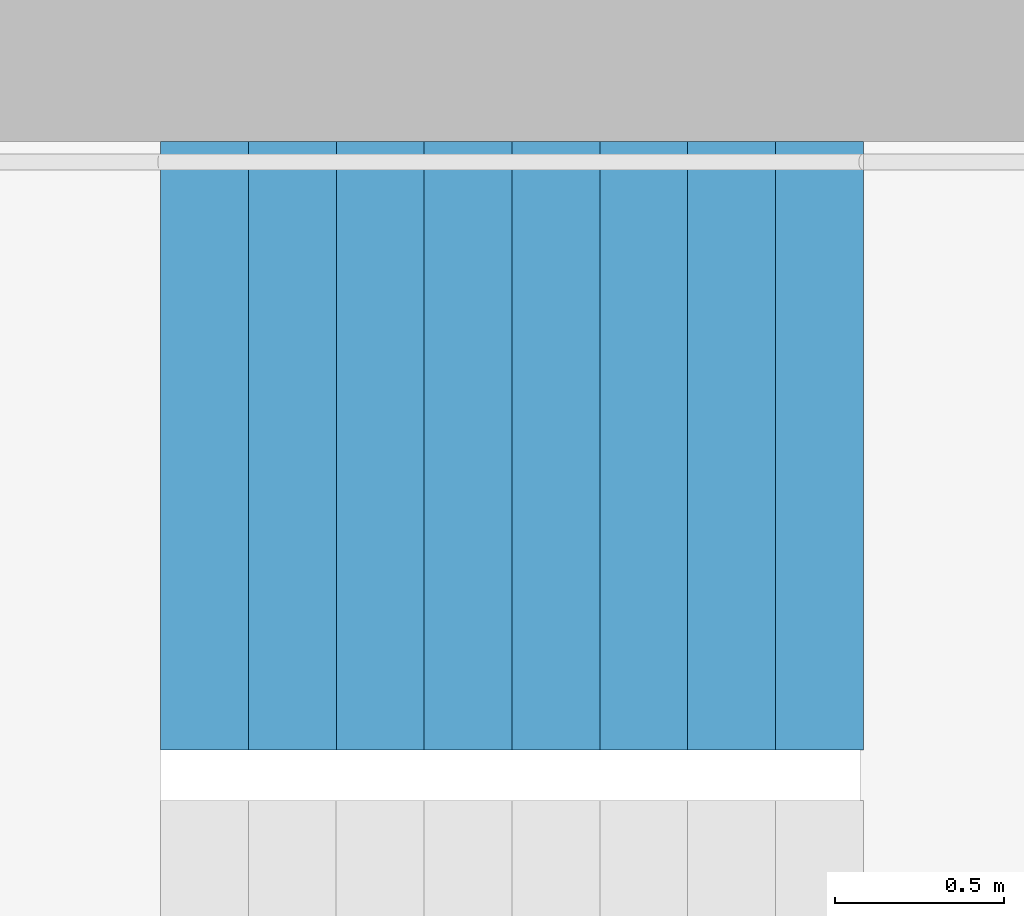
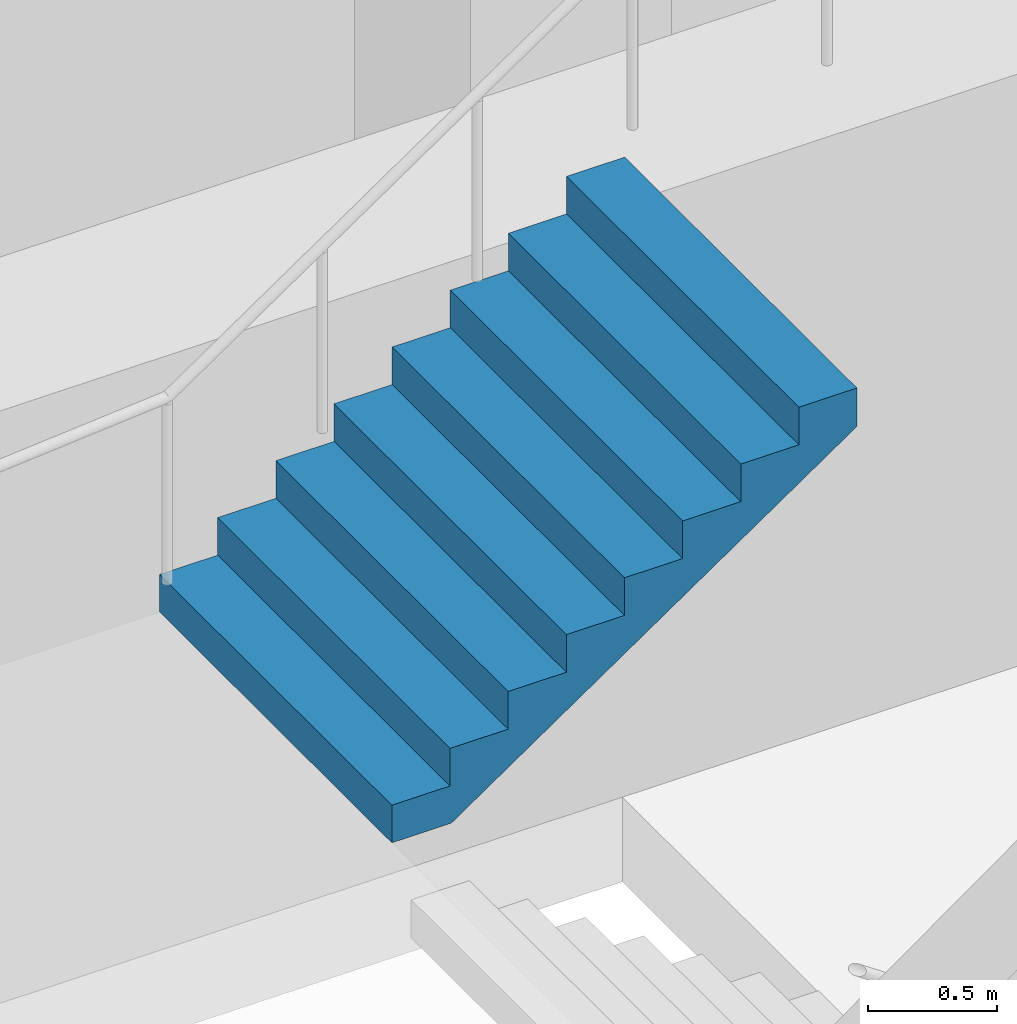
# One storey, part 28 of 29: 1 stair flight, 1 element without a shape of its own.
"""IFC4 building model written with IfcOpenShell, lengths in metres."""

from ifc_helpers import new_model, si_unit, direction, frame, origin, place, context, subcontext, project, spatial, triangles, material, type_object, element, aggregate, save


model = new_model("IFC4")

# Units and contexts
model_context = context("Model", 3, precision=1e-05, world=origin(), true_north=direction((0.0, 1.0)))
body_context = subcontext(model_context, "Body", "Model", "MODEL_VIEW")
ifc_project = project(units=[si_unit("LENGTHUNIT", "METRE"), si_unit("AREAUNIT", "SQUARE_METRE"), si_unit("VOLUMEUNIT", "CUBIC_METRE"), si_unit("PLANEANGLEUNIT", "RADIAN"), si_unit("MASSUNIT", "GRAM", prefix="KILO")], contexts=[model_context])

# Site, building, storey
site_placement = place(None, origin())
site = spatial("IfcSite", under=ifc_project, at=site_placement, CompositionType="ELEMENT")
building_placement = place(site_placement, origin())
building = spatial("IfcBuilding", under=site, at=building_placement, Name="Hakoniwa Tower and Hamabe Station Hall", CompositionType="ELEMENT")
storey_placement = place(building_placement, frame((0.0, 0.0, 88.199951171875)))
storey = spatial("IfcBuildingStorey", under=building, at=storey_placement, Name="L24", CompositionType="ELEMENT", Elevation=88.199951171875)

# Stair, stair flight
ifc_material_1 = material(Name="Concrete C40", Category="concrete")
stair_type = type_object("IfcStairType", Name="ESCAPE STAIR 1800", PredefinedType="HALF_TURN_STAIR", material=ifc_material_1)
stair_placement = place(storey_placement, origin())
stair = element("IfcStair", 1, at=stair_placement, inside=storey, type_object=stair_type, Name="Escape stair ST-3 L24", PredefinedType="HALF_TURN_STAIR")
ifc_material_2 = material(Name="Concrete C40", Category="concrete")
stair_flight_type = type_object("IfcStairFlightType", Name="STAIR FLIGHT 1800", PredefinedType="STRAIGHT", material=ifc_material_2)
stair_flight_placement = place(storey_placement, frame((22.320068359375, 6.60009765625, 1.60009765625), z_axis=(0.0, 0.0, 1.0), x_axis=(1.0, 0.0, 0.0)))
stair_flight = element("IfcStairFlight", 2, at=stair_flight_placement, type_object=stair_flight_type, Name="ST-3 flight 2", NumberOfRisers=9, NumberOfTreads=8, PredefinedType="STRAIGHT", RiserHeight=0.177777778, TreadLength=0.26, context=body_context, shape_type="Tessellation", body=[
    triangles([(0.0, 0.89990234375, 0.0), (0.260009765625, 0.89990234375, 0.0), (0.265625, 0.89990234375, 0.0), (0.52001953125, 0.89990234375, 0.174072265625), (0.780029296875, 0.89990234375, 0.351806640625), (1.0400390625, 0.89990234375, 0.529541015625), (1.300048828125, 0.89990234375, 0.707275390625), (1.56005859375, 0.89990234375, 0.885009765625), (1.820068359375, 0.89990234375, 1.062744140625), (2.080078125, 0.89990234375, 1.24072265625), (2.080078125, 0.89990234375, 1.422119140625), (1.820068359375, 0.89990234375, 1.422119140625), (1.820068359375, 0.89990234375, 1.244384765625), (1.56005859375, 0.89990234375, 1.244384765625), (1.56005859375, 0.89990234375, 1.066650390625), (1.300048828125, 0.89990234375, 1.066650390625), (1.300048828125, 0.89990234375, 0.888916015625), (1.0400390625, 0.89990234375, 0.888916015625), (1.0400390625, 0.89990234375, 0.711181640625), (0.780029296875, 0.89990234375, 0.711181640625), (0.780029296875, 0.89990234375, 0.533447265625), (0.52001953125, 0.89990234375, 0.533447265625), (0.52001953125, 0.89990234375, 0.35546875), (0.265625, 0.89990234375, 0.35546875), (0.260009765625, 0.89990234375, 0.35546875), (0.260009765625, 0.89990234375, 0.177734375), (0.0, 0.89990234375, 0.177734375), (0.0, 0.06005859375, 0.0), (0.260009765625, 0.06005859375, 0.0), (0.265625, 0.06005859375, 0.0), (0.52001953125, 0.06005859375, 0.174072265625), (0.780029296875, 0.06005859375, 0.351806640625), (1.0400390625, 0.06005859375, 0.529541015625), (1.300048828125, 0.06005859375, 0.707275390625), (1.56005859375, 0.06005859375, 0.885009765625), (1.820068359375, 0.06005859375, 1.062744140625), (2.080078125, 0.06005859375, 1.24072265625), (2.080078125, 0.06005859375, 1.422119140625), (1.820068359375, 0.06005859375, 1.422119140625), (1.820068359375, 0.06005859375, 1.244384765625), (1.56005859375, 0.06005859375, 1.244384765625), (1.56005859375, 0.06005859375, 1.066650390625), (1.300048828125, 0.06005859375, 1.066650390625), (1.300048828125, 0.06005859375, 0.888916015625), (1.0400390625, 0.06005859375, 0.888916015625), (1.0400390625, 0.06005859375, 0.711181640625), (0.780029296875, 0.06005859375, 0.711181640625), (0.780029296875, 0.06005859375, 0.533447265625), (0.52001953125, 0.06005859375, 0.533447265625), (0.52001953125, 0.06005859375, 0.35546875), (0.265625, 0.06005859375, 0.35546875), (0.260009765625, 0.06005859375, 0.35546875), (0.260009765625, 0.06005859375, 0.177734375), (0.0, 0.06005859375, 0.177734375), (0.0, 0.04296875, 0.0), (0.260009765625, 0.04296875, 0.0), (0.265625, 0.04296875, 0.0), (0.52001953125, 0.04296875, 0.174072265625), (0.780029296875, 0.04296875, 0.351806640625), (1.0400390625, 0.04296875, 0.529541015625), (1.300048828125, 0.04296875, 0.707275390625), (1.56005859375, 0.04296875, 0.885009765625), (1.820068359375, 0.04296875, 1.062744140625), (2.080078125, 0.04296875, 1.24072265625), (2.080078125, 0.04296875, 1.422119140625), (1.820068359375, 0.04296875, 1.422119140625), (1.820068359375, 0.04296875, 1.244384765625), (1.56005859375, 0.04296875, 1.244384765625), (1.56005859375, 0.04296875, 1.066650390625), (1.300048828125, 0.04296875, 1.066650390625), (1.300048828125, 0.04296875, 0.888916015625), (1.0400390625, 0.04296875, 0.888916015625), (1.0400390625, 0.04296875, 0.711181640625), (0.780029296875, 0.04296875, 0.711181640625), (0.780029296875, 0.04296875, 0.533447265625), (0.52001953125, 0.04296875, 0.533447265625), (0.52001953125, 0.04296875, 0.35546875), (0.265625, 0.04296875, 0.35546875), (0.260009765625, 0.04296875, 0.35546875), (0.260009765625, 0.04296875, 0.177734375), (0.0, 0.04296875, 0.177734375), (0.0, 0.025634765625, 0.0), (0.260009765625, 0.025634765625, 0.0), (0.265625, 0.025634765625, 0.0), (0.52001953125, 0.025634765625, 0.174072265625), (0.780029296875, 0.025634765625, 0.351806640625), (1.0400390625, 0.025634765625, 0.529541015625), (1.300048828125, 0.025634765625, 0.707275390625), (1.56005859375, 0.025634765625, 0.885009765625), (1.820068359375, 0.025634765625, 1.062744140625), (2.080078125, 0.025634765625, 1.24072265625), (2.080078125, 0.025634765625, 1.422119140625), (1.820068359375, 0.025634765625, 1.422119140625), (1.820068359375, 0.025634765625, 1.244384765625), (1.56005859375, 0.025634765625, 1.244384765625), (1.56005859375, 0.025634765625, 1.066650390625), (1.300048828125, 0.025634765625, 1.066650390625), (1.300048828125, 0.025634765625, 0.888916015625), (1.0400390625, 0.025634765625, 0.888916015625), (1.0400390625, 0.025634765625, 0.711181640625), (0.780029296875, 0.025634765625, 0.711181640625), (0.780029296875, 0.025634765625, 0.533447265625), (0.52001953125, 0.025634765625, 0.533447265625), (0.52001953125, 0.025634765625, 0.35546875), (0.265625, 0.025634765625, 0.35546875), (0.260009765625, 0.025634765625, 0.35546875), (0.260009765625, 0.025634765625, 0.177734375), (0.0, 0.025634765625, 0.177734375), (0.0, 0.008544921875, 0.0), (0.260009765625, 0.008544921875, 0.0), (0.265625, 0.008544921875, 0.0), (0.52001953125, 0.008544921875, 0.174072265625), (0.780029296875, 0.008544921875, 0.351806640625), (1.0400390625, 0.008544921875, 0.529541015625), (1.300048828125, 0.008544921875, 0.707275390625), (1.56005859375, 0.008544921875, 0.885009765625), (1.820068359375, 0.008544921875, 1.062744140625), (2.080078125, 0.008544921875, 1.24072265625), (2.080078125, 0.008544921875, 1.422119140625), (1.820068359375, 0.008544921875, 1.422119140625), (1.820068359375, 0.008544921875, 1.244384765625), (1.56005859375, 0.008544921875, 1.244384765625), (1.56005859375, 0.008544921875, 1.066650390625), (1.300048828125, 0.008544921875, 1.066650390625), (1.300048828125, 0.008544921875, 0.888916015625), (1.0400390625, 0.008544921875, 0.888916015625), (1.0400390625, 0.008544921875, 0.711181640625), (0.780029296875, 0.008544921875, 0.711181640625), (0.780029296875, 0.008544921875, 0.533447265625), (0.52001953125, 0.008544921875, 0.533447265625), (0.52001953125, 0.008544921875, 0.35546875), (0.265625, 0.008544921875, 0.35546875), (0.260009765625, 0.008544921875, 0.35546875), (0.260009765625, 0.008544921875, 0.177734375), (0.0, 0.008544921875, 0.177734375), (0.0, -0.008544921875, 0.0), (0.260009765625, -0.008544921875, 0.0), (0.265625, -0.008544921875, 0.0), (0.52001953125, -0.008544921875, 0.174072265625), (0.780029296875, -0.008544921875, 0.351806640625), (1.0400390625, -0.008544921875, 0.529541015625), (1.300048828125, -0.008544921875, 0.707275390625), (1.56005859375, -0.008544921875, 0.885009765625), (1.820068359375, -0.008544921875, 1.062744140625), (2.080078125, -0.008544921875, 1.24072265625), (2.080078125, -0.008544921875, 1.422119140625), (1.820068359375, -0.008544921875, 1.422119140625), (1.820068359375, -0.008544921875, 1.244384765625), (1.56005859375, -0.008544921875, 1.244384765625), (1.56005859375, -0.008544921875, 1.066650390625), (1.300048828125, -0.008544921875, 1.066650390625), (1.300048828125, -0.008544921875, 0.888916015625), (1.0400390625, -0.008544921875, 0.888916015625), (1.0400390625, -0.008544921875, 0.711181640625), (0.780029296875, -0.008544921875, 0.711181640625), (0.780029296875, -0.008544921875, 0.533447265625), (0.52001953125, -0.008544921875, 0.533447265625), (0.52001953125, -0.008544921875, 0.35546875), (0.265625, -0.008544921875, 0.35546875), (0.260009765625, -0.008544921875, 0.35546875), (0.260009765625, -0.008544921875, 0.177734375), (0.0, -0.008544921875, 0.177734375), (0.0, -0.025634765625, 0.0), (0.260009765625, -0.025634765625, 0.0), (0.265625, -0.025634765625, 0.0), (0.52001953125, -0.025634765625, 0.174072265625), (0.780029296875, -0.025634765625, 0.351806640625), (1.0400390625, -0.025634765625, 0.529541015625), (1.300048828125, -0.025634765625, 0.707275390625), (1.56005859375, -0.025634765625, 0.885009765625), (1.820068359375, -0.025634765625, 1.062744140625), (2.080078125, -0.025634765625, 1.24072265625), (2.080078125, -0.025634765625, 1.422119140625), (1.820068359375, -0.025634765625, 1.422119140625), (1.820068359375, -0.025634765625, 1.244384765625), (1.56005859375, -0.025634765625, 1.244384765625), (1.56005859375, -0.025634765625, 1.066650390625), (1.300048828125, -0.025634765625, 1.066650390625), (1.300048828125, -0.025634765625, 0.888916015625), (1.0400390625, -0.025634765625, 0.888916015625), (1.0400390625, -0.025634765625, 0.711181640625), (0.780029296875, -0.025634765625, 0.711181640625), (0.780029296875, -0.025634765625, 0.533447265625), (0.52001953125, -0.025634765625, 0.533447265625), (0.52001953125, -0.025634765625, 0.35546875), (0.265625, -0.025634765625, 0.35546875), (0.260009765625, -0.025634765625, 0.35546875), (0.260009765625, -0.025634765625, 0.177734375), (0.0, -0.025634765625, 0.177734375), (0.0, -0.04296875, 0.0), (0.260009765625, -0.04296875, 0.0), (0.265625, -0.04296875, 0.0), (0.52001953125, -0.04296875, 0.174072265625), (0.780029296875, -0.04296875, 0.351806640625), (1.0400390625, -0.04296875, 0.529541015625), (1.300048828125, -0.04296875, 0.707275390625), (1.56005859375, -0.04296875, 0.885009765625), (1.820068359375, -0.04296875, 1.062744140625), (2.080078125, -0.04296875, 1.24072265625), (2.080078125, -0.04296875, 1.422119140625), (1.820068359375, -0.04296875, 1.422119140625), (1.820068359375, -0.04296875, 1.244384765625), (1.56005859375, -0.04296875, 1.244384765625), (1.56005859375, -0.04296875, 1.066650390625), (1.300048828125, -0.04296875, 1.066650390625), (1.300048828125, -0.04296875, 0.888916015625), (1.0400390625, -0.04296875, 0.888916015625), (1.0400390625, -0.04296875, 0.711181640625), (0.780029296875, -0.04296875, 0.711181640625), (0.780029296875, -0.04296875, 0.533447265625), (0.52001953125, -0.04296875, 0.533447265625), (0.52001953125, -0.04296875, 0.35546875), (0.265625, -0.04296875, 0.35546875), (0.260009765625, -0.04296875, 0.35546875), (0.260009765625, -0.04296875, 0.177734375), (0.0, -0.04296875, 0.177734375), (0.0, -0.06005859375, 0.0), (0.260009765625, -0.06005859375, 0.0), (0.265625, -0.06005859375, 0.0), (0.52001953125, -0.06005859375, 0.174072265625), (0.780029296875, -0.06005859375, 0.351806640625), (1.0400390625, -0.06005859375, 0.529541015625), (1.300048828125, -0.06005859375, 0.707275390625), (1.56005859375, -0.06005859375, 0.885009765625), (1.820068359375, -0.06005859375, 1.062744140625), (2.080078125, -0.06005859375, 1.24072265625), (2.080078125, -0.06005859375, 1.422119140625), (1.820068359375, -0.06005859375, 1.422119140625), (1.820068359375, -0.06005859375, 1.244384765625), (1.56005859375, -0.06005859375, 1.244384765625), (1.56005859375, -0.06005859375, 1.066650390625), (1.300048828125, -0.06005859375, 1.066650390625), (1.300048828125, -0.06005859375, 0.888916015625), (1.0400390625, -0.06005859375, 0.888916015625), (1.0400390625, -0.06005859375, 0.711181640625), (0.780029296875, -0.06005859375, 0.711181640625), (0.780029296875, -0.06005859375, 0.533447265625), (0.52001953125, -0.06005859375, 0.533447265625), (0.52001953125, -0.06005859375, 0.35546875), (0.265625, -0.06005859375, 0.35546875), (0.260009765625, -0.06005859375, 0.35546875), (0.260009765625, -0.06005859375, 0.177734375), (0.0, -0.06005859375, 0.177734375), (0.0, -0.89990234375, 0.0), (0.260009765625, -0.89990234375, 0.0), (0.265625, -0.89990234375, 0.0), (0.52001953125, -0.89990234375, 0.174072265625), (0.780029296875, -0.89990234375, 0.351806640625), (1.0400390625, -0.89990234375, 0.529541015625), (1.300048828125, -0.89990234375, 0.707275390625), (1.56005859375, -0.89990234375, 0.885009765625), (1.820068359375, -0.89990234375, 1.062744140625), (2.080078125, -0.89990234375, 1.24072265625), (2.080078125, -0.89990234375, 1.422119140625), (1.820068359375, -0.89990234375, 1.422119140625), (1.820068359375, -0.89990234375, 1.244384765625), (1.56005859375, -0.89990234375, 1.244384765625), (1.56005859375, -0.89990234375, 1.066650390625), (1.300048828125, -0.89990234375, 1.066650390625), (1.300048828125, -0.89990234375, 0.888916015625), (1.0400390625, -0.89990234375, 0.888916015625), (1.0400390625, -0.89990234375, 0.711181640625), (0.780029296875, -0.89990234375, 0.711181640625), (0.780029296875, -0.89990234375, 0.533447265625), (0.52001953125, -0.89990234375, 0.533447265625), (0.52001953125, -0.89990234375, 0.35546875), (0.265625, -0.89990234375, 0.35546875), (0.260009765625, -0.89990234375, 0.35546875), (0.260009765625, -0.89990234375, 0.177734375), (0.0, -0.89990234375, 0.177734375)], [[2, 27, 26], [245, 269, 270], [2, 1, 27], [245, 270, 244], [3, 25, 24], [246, 267, 268], [3, 26, 25], [246, 268, 269], [3, 2, 26], [246, 269, 245], [4, 24, 23], [247, 266, 267], [4, 3, 24], [247, 267, 246], [5, 22, 21], [248, 264, 265], [5, 23, 22], [248, 265, 266], [5, 4, 23], [248, 266, 247], [6, 20, 19], [249, 262, 263], [6, 21, 20], [249, 263, 264], [6, 5, 21], [249, 264, 248], [7, 18, 17], [250, 260, 261], [7, 19, 18], [250, 261, 262], [7, 6, 19], [250, 262, 249], [8, 16, 15], [251, 258, 259], [8, 17, 16], [251, 259, 260], [8, 7, 17], [251, 260, 250], [9, 14, 13], [252, 256, 257], [9, 15, 14], [252, 257, 258], [9, 8, 15], [252, 258, 251], [10, 12, 11], [253, 254, 255], [10, 13, 12], [253, 255, 256], [10, 9, 13], [253, 256, 252], [1, 2, 29], [1, 29, 28], [28, 29, 56], [28, 56, 55], [55, 56, 83], [55, 83, 82], [82, 83, 110], [82, 110, 109], [109, 110, 137], [109, 137, 136], [136, 137, 164], [136, 164, 163], [163, 164, 191], [163, 191, 190], [190, 191, 218], [190, 218, 217], [217, 218, 245], [217, 245, 244], [2, 3, 30], [2, 30, 29], [29, 30, 57], [29, 57, 56], [56, 57, 84], [56, 84, 83], [83, 84, 111], [83, 111, 110], [110, 111, 138], [110, 138, 137], [137, 138, 165], [137, 165, 164], [164, 165, 192], [164, 192, 191], [191, 192, 219], [191, 219, 218], [218, 219, 246], [218, 246, 245], [3, 4, 31], [3, 31, 30], [30, 31, 58], [30, 58, 57], [57, 58, 85], [57, 85, 84], [84, 85, 112], [84, 112, 111], [111, 112, 139], [111, 139, 138], [138, 139, 166], [138, 166, 165], [165, 166, 193], [165, 193, 192], [192, 193, 220], [192, 220, 219], [219, 220, 247], [219, 247, 246], [4, 5, 32], [4, 32, 31], [31, 32, 59], [31, 59, 58], [58, 59, 86], [58, 86, 85], [85, 86, 113], [85, 113, 112], [112, 113, 140], [112, 140, 139], [139, 140, 167], [139, 167, 166], [166, 167, 194], [166, 194, 193], [193, 194, 221], [193, 221, 220], [220, 221, 248], [220, 248, 247], [5, 6, 33], [5, 33, 32], [32, 33, 60], [32, 60, 59], [59, 60, 87], [59, 87, 86], [86, 87, 114], [86, 114, 113], [113, 114, 141], [113, 141, 140], [140, 141, 168], [140, 168, 167], [167, 168, 195], [167, 195, 194], [194, 195, 222], [194, 222, 221], [221, 222, 249], [221, 249, 248], [6, 7, 34], [6, 34, 33], [33, 34, 61], [33, 61, 60], [60, 61, 88], [60, 88, 87], [87, 88, 115], [87, 115, 114], [114, 115, 142], [114, 142, 141], [141, 142, 169], [141, 169, 168], [168, 169, 196], [168, 196, 195], [195, 196, 223], [195, 223, 222], [222, 223, 250], [222, 250, 249], [7, 8, 35], [7, 35, 34], [34, 35, 62], [34, 62, 61], [61, 62, 89], [61, 89, 88], [88, 89, 116], [88, 116, 115], [115, 116, 143], [115, 143, 142], [142, 143, 170], [142, 170, 169], [169, 170, 197], [169, 197, 196], [196, 197, 224], [196, 224, 223], [223, 224, 251], [223, 251, 250], [8, 9, 36], [8, 36, 35], [35, 36, 63], [35, 63, 62], [62, 63, 90], [62, 90, 89], [89, 90, 117], [89, 117, 116], [116, 117, 144], [116, 144, 143], [143, 144, 171], [143, 171, 170], [170, 171, 198], [170, 198, 197], [197, 198, 225], [197, 225, 224], [224, 225, 252], [224, 252, 251], [9, 10, 37], [9, 37, 36], [36, 37, 64], [36, 64, 63], [63, 64, 91], [63, 91, 90], [90, 91, 118], [90, 118, 117], [117, 118, 145], [117, 145, 144], [144, 145, 172], [144, 172, 171], [171, 172, 199], [171, 199, 198], [198, 199, 226], [198, 226, 225], [225, 226, 253], [225, 253, 252], [10, 11, 38], [10, 38, 37], [37, 38, 65], [37, 65, 64], [64, 65, 92], [64, 92, 91], [91, 92, 119], [91, 119, 118], [118, 119, 146], [118, 146, 145], [145, 146, 173], [145, 173, 172], [172, 173, 200], [172, 200, 199], [199, 200, 227], [199, 227, 226], [226, 227, 254], [226, 254, 253], [11, 12, 39], [11, 39, 38], [38, 39, 66], [38, 66, 65], [65, 66, 93], [65, 93, 92], [92, 93, 120], [92, 120, 119], [119, 120, 147], [119, 147, 146], [146, 147, 174], [146, 174, 173], [173, 174, 201], [173, 201, 200], [200, 201, 228], [200, 228, 227], [227, 228, 255], [227, 255, 254], [12, 13, 40], [12, 40, 39], [39, 40, 67], [39, 67, 66], [66, 67, 94], [66, 94, 93], [93, 94, 121], [93, 121, 120], [120, 121, 148], [120, 148, 147], [147, 148, 175], [147, 175, 174], [174, 175, 202], [174, 202, 201], [201, 202, 229], [201, 229, 228], [228, 229, 256], [228, 256, 255], [13, 14, 41], [13, 41, 40], [40, 41, 68], [40, 68, 67], [67, 68, 95], [67, 95, 94], [94, 95, 122], [94, 122, 121], [121, 122, 149], [121, 149, 148], [148, 149, 176], [148, 176, 175], [175, 176, 203], [175, 203, 202], [202, 203, 230], [202, 230, 229], [229, 230, 257], [229, 257, 256], [14, 15, 42], [14, 42, 41], [41, 42, 69], [41, 69, 68], [68, 69, 96], [68, 96, 95], [95, 96, 123], [95, 123, 122], [122, 123, 150], [122, 150, 149], [149, 150, 177], [149, 177, 176], [176, 177, 204], [176, 204, 203], [203, 204, 231], [203, 231, 230], [230, 231, 258], [230, 258, 257], [15, 16, 43], [15, 43, 42], [42, 43, 70], [42, 70, 69], [69, 70, 97], [69, 97, 96], [96, 97, 124], [96, 124, 123], [123, 124, 151], [123, 151, 150], [150, 151, 178], [150, 178, 177], [177, 178, 205], [177, 205, 204], [204, 205, 232], [204, 232, 231], [231, 232, 259], [231, 259, 258], [16, 17, 44], [16, 44, 43], [43, 44, 71], [43, 71, 70], [70, 71, 98], [70, 98, 97], [97, 98, 125], [97, 125, 124], [124, 125, 152], [124, 152, 151], [151, 152, 179], [151, 179, 178], [178, 179, 206], [178, 206, 205], [205, 206, 233], [205, 233, 232], [232, 233, 260], [232, 260, 259], [17, 18, 45], [17, 45, 44], [44, 45, 72], [44, 72, 71], [71, 72, 99], [71, 99, 98], [98, 99, 126], [98, 126, 125], [125, 126, 153], [125, 153, 152], [152, 153, 180], [152, 180, 179], [179, 180, 207], [179, 207, 206], [206, 207, 234], [206, 234, 233], [233, 234, 261], [233, 261, 260], [18, 19, 46], [18, 46, 45], [45, 46, 73], [45, 73, 72], [72, 73, 100], [72, 100, 99], [99, 100, 127], [99, 127, 126], [126, 127, 154], [126, 154, 153], [153, 154, 181], [153, 181, 180], [180, 181, 208], [180, 208, 207], [207, 208, 235], [207, 235, 234], [234, 235, 262], [234, 262, 261], [19, 20, 47], [19, 47, 46], [46, 47, 74], [46, 74, 73], [73, 74, 101], [73, 101, 100], [100, 101, 128], [100, 128, 127], [127, 128, 155], [127, 155, 154], [154, 155, 182], [154, 182, 181], [181, 182, 209], [181, 209, 208], [208, 209, 236], [208, 236, 235], [235, 236, 263], [235, 263, 262], [20, 21, 48], [20, 48, 47], [47, 48, 75], [47, 75, 74], [74, 75, 102], [74, 102, 101], [101, 102, 129], [101, 129, 128], [128, 129, 156], [128, 156, 155], [155, 156, 183], [155, 183, 182], [182, 183, 210], [182, 210, 209], [209, 210, 237], [209, 237, 236], [236, 237, 264], [236, 264, 263], [21, 22, 49], [21, 49, 48], [48, 49, 76], [48, 76, 75], [75, 76, 103], [75, 103, 102], [102, 103, 130], [102, 130, 129], [129, 130, 157], [129, 157, 156], [156, 157, 184], [156, 184, 183], [183, 184, 211], [183, 211, 210], [210, 211, 238], [210, 238, 237], [237, 238, 265], [237, 265, 264], [22, 23, 50], [22, 50, 49], [49, 50, 77], [49, 77, 76], [76, 77, 104], [76, 104, 103], [103, 104, 131], [103, 131, 130], [130, 131, 158], [130, 158, 157], [157, 158, 185], [157, 185, 184], [184, 185, 212], [184, 212, 211], [211, 212, 239], [211, 239, 238], [238, 239, 266], [238, 266, 265], [23, 24, 51], [23, 51, 50], [50, 51, 78], [50, 78, 77], [77, 78, 105], [77, 105, 104], [104, 105, 132], [104, 132, 131], [131, 132, 159], [131, 159, 158], [158, 159, 186], [158, 186, 185], [185, 186, 213], [185, 213, 212], [212, 213, 240], [212, 240, 239], [239, 240, 267], [239, 267, 266], [24, 25, 52], [24, 52, 51], [51, 52, 79], [51, 79, 78], [78, 79, 106], [78, 106, 105], [105, 106, 133], [105, 133, 132], [132, 133, 160], [132, 160, 159], [159, 160, 187], [159, 187, 186], [186, 187, 214], [186, 214, 213], [213, 214, 241], [213, 241, 240], [240, 241, 268], [240, 268, 267], [25, 26, 53], [25, 53, 52], [52, 53, 80], [52, 80, 79], [79, 80, 107], [79, 107, 106], [106, 107, 134], [106, 134, 133], [133, 134, 161], [133, 161, 160], [160, 161, 188], [160, 188, 187], [187, 188, 215], [187, 215, 214], [214, 215, 242], [214, 242, 241], [241, 242, 269], [241, 269, 268], [26, 27, 54], [26, 54, 53], [53, 54, 81], [53, 81, 80], [80, 81, 108], [80, 108, 107], [107, 108, 135], [107, 135, 134], [134, 135, 162], [134, 162, 161], [161, 162, 189], [161, 189, 188], [188, 189, 216], [188, 216, 215], [215, 216, 243], [215, 243, 242], [242, 243, 270], [242, 270, 269], [27, 1, 28], [27, 28, 54], [54, 28, 55], [54, 55, 81], [81, 55, 82], [81, 82, 108], [108, 82, 109], [108, 109, 135], [135, 109, 136], [135, 136, 162], [162, 136, 163], [162, 163, 189], [189, 163, 190], [189, 190, 216], [216, 190, 217], [216, 217, 243], [243, 217, 244], [243, 244, 270]], closed=True),
])
aggregate(stair, [stair_flight])

save(model, "model.ifc")
